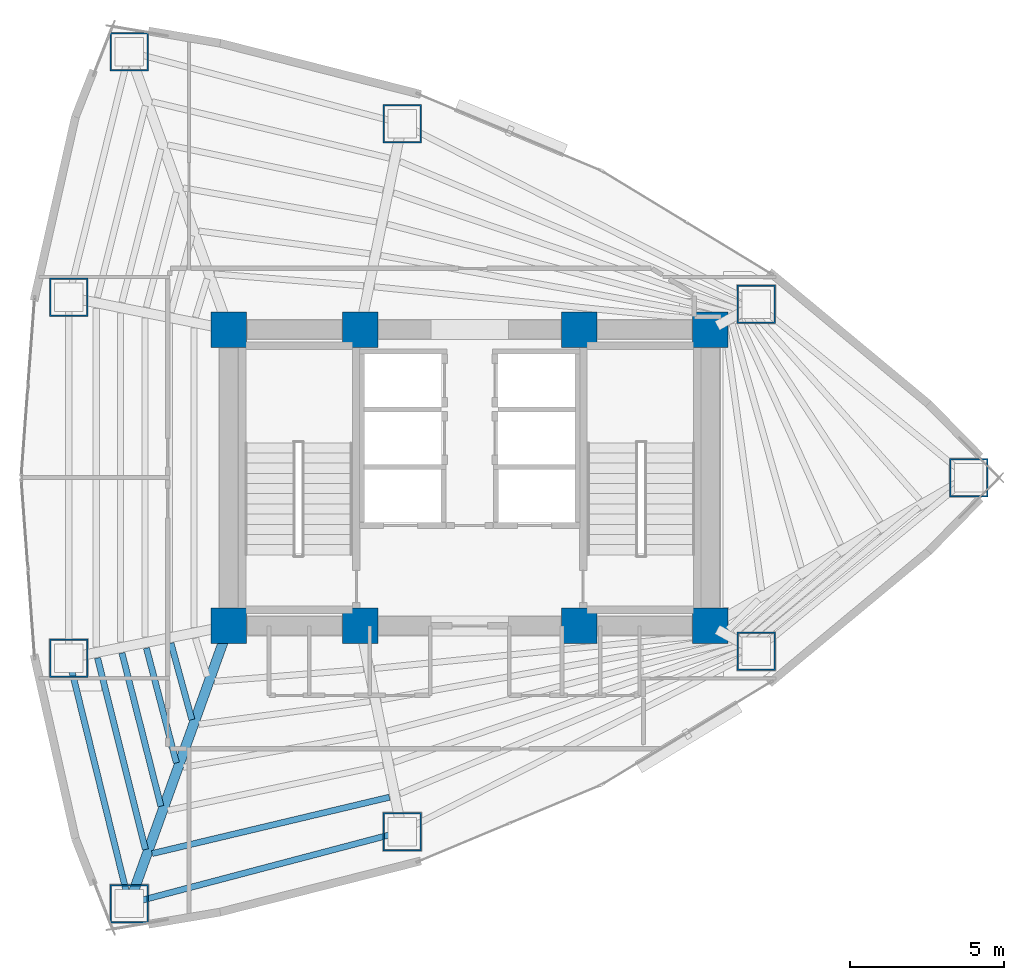
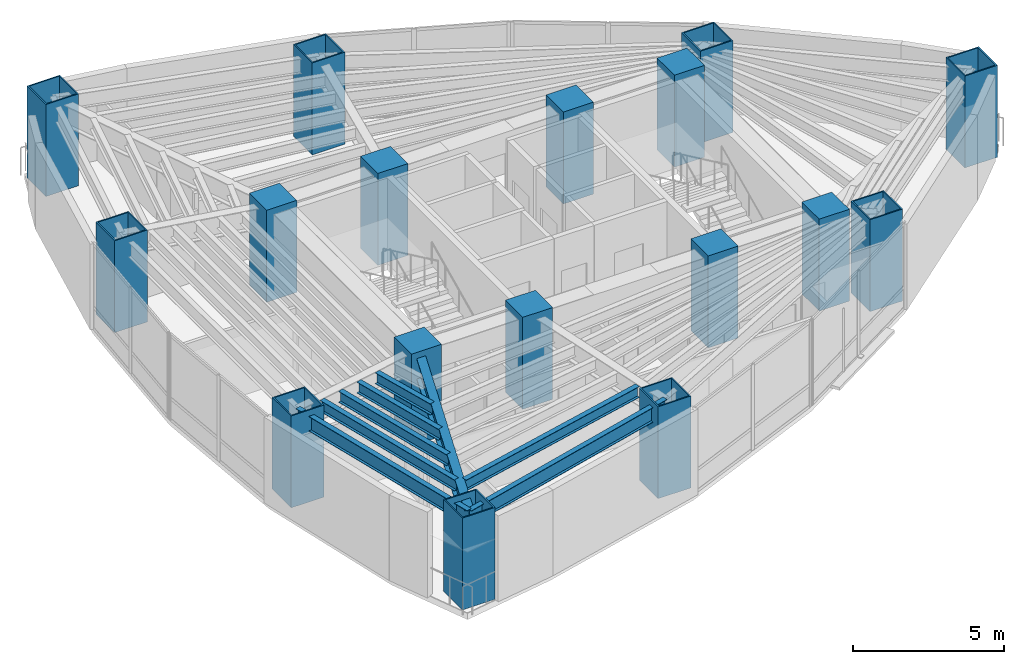
# One storey, part 1 of 16: 17 columns, 8 beams.
"""IFC4 building model written with IfcOpenShell, lengths in metres."""

from ifc_helpers import new_model, si_unit, direction, frame, origin, origin_2d, place, context, subcontext, project, spatial, rectangle, hollow_rectangle, i_section, extrude, material, material_profile, profile_set, type_object, element, save


model = new_model("IFC4")

# Units and contexts
model_context = context("Model", 3, precision=1e-05, world=origin(), true_north=direction((0.0, 1.0)))
body_context = subcontext(model_context, "Body", "Model", "MODEL_VIEW")
ifc_project = project(units=[si_unit("LENGTHUNIT", "METRE"), si_unit("AREAUNIT", "SQUARE_METRE"), si_unit("VOLUMEUNIT", "CUBIC_METRE"), si_unit("PLANEANGLEUNIT", "RADIAN"), si_unit("MASSUNIT", "GRAM", prefix="KILO")], contexts=[model_context])

# Site, building, storey
site_placement = place(None, origin())
site = spatial("IfcSite", under=ifc_project, at=site_placement, CompositionType="ELEMENT")
building_placement = place(site_placement, origin())
building = spatial("IfcBuilding", under=site, at=building_placement, Name="Menara Vayukalpa", CompositionType="ELEMENT")
storey_placement = place(building_placement, frame((0.0, 0.0, 72.239990234375)))
storey = spatial("IfcBuildingStorey", under=building, at=storey_placement, Name="L17", CompositionType="ELEMENT", Elevation=72.239990234375)

# Columns
ifc_material_1 = material(Name="Concrete C80/95", Category="concrete")
ifc_material_profile_1 = material_profile(ifc_material_1, rectangle(XDim=1.14990234375, YDim=1.14990234375, at=origin_2d()), Name="RC 1150x1150")
ifc_profile_set_1 = profile_set([ifc_material_profile_1], Name="Concrete C80/95")
column_type_1 = type_object("IfcColumnType", Name="COL-CC1", PredefinedType="COLUMN", material=ifc_profile_set_1)
for number, where, z_axis, x_axis, name in (
    (1, (17.800048828125, 17.199951171875, 0.0), (0.0, 0.0, 1.0), (1.0, 0.0, 0.0), "L17 Core Pilaster Column CC1"),
    (2, (22.050048828125, 17.199951171875, 0.0), (0.0, 0.0, 1.0), (1.0, 0.0, 0.0), "L17 Core Pilaster Column CC2"),
    (3, (29.14990234375, 17.199951171875, 0.0), (0.0, 0.0, 1.0), (1.0, 0.0, 0.0), "L17 Core Pilaster Column CC3"),
    (4, (33.39990234375, 17.199951171875, 0.0), (0.0, 0.0, 1.0), (1.0, 0.0, 0.0), "L17 Core Pilaster Column CC4"),
    (5, (17.800048828125, 26.800048828125, 0.0), (0.0, 0.0, 1.0), (1.0, 0.0, 0.0), "L17 Core Pilaster Column CC5"),
    (6, (22.050048828125, 26.800048828125, 0.0), (0.0, 0.0, 1.0), (1.0, 0.0, 0.0), "L17 Core Pilaster Column CC6"),
    (7, (29.14990234375, 26.800048828125, 0.0), (0.0, 0.0, 1.0), (1.0, 0.0, 0.0), "L17 Core Pilaster Column CC7"),
    (8, (33.39990234375, 26.800048828125, 0.0), (0.0, 0.0, 1.0), (1.0, 0.0, 0.0), "L17 Core Pilaster Column CC8"),
):
    element("IfcColumn", number, at=place(storey_placement, frame(where, z_axis=z_axis, x_axis=x_axis)), inside=storey, type_object=column_type_1, Name=name, PredefinedType="COLUMN", context=body_context, shape_type="SweptSolid", body=[
        extrude(rectangle(XDim=1.14990234375, YDim=1.14990234375, at=origin_2d()), origin(), (0.0, 0.0, 1.0), 3.719970703125),
    ])
ifc_material_2 = material(Name="Steel S460", Category="steel")
ifc_material_profile_2 = material_profile(ifc_material_2, hollow_rectangle(XDim=1.25, YDim=1.25, WallThickness=0.050048828125, at=origin_2d()), Name="BOX 1250x1250x50")
ifc_profile_set_2 = profile_set([ifc_material_profile_2], Name="Steel S460")
column_type_2 = type_object("IfcColumnType", Name="COL-MC2", PredefinedType="COLUMN", material=ifc_profile_set_2)
for number, where, z_axis, x_axis, name in (
    (9, (41.761962890625, 22.0, 0.0), (0.0, 0.0, 1.0), (1.0, 0.0, 0.0), "L17 Perimeter Mega Column P01"),
    (10, (34.88671875, 27.62158203125, 0.0), (0.0, 0.0, 1.0), (1.0, 0.0, 0.0), "L17 Perimeter Mega Column P02"),
    (11, (23.408203125, 33.46728515625, 0.0), (0.0, 0.0, 1.0), (1.0, 0.0, 0.0), "L17 Perimeter Mega Column P03"),
    (12, (14.569091796875, 35.79736328125, 0.0), (0.0, 0.0, 1.0), (1.0, 0.0, 0.0), "L17 Perimeter Mega Column P04"),
    (13, (12.606689453125, 27.845703125, 0.0), (0.0, 0.0, 1.0), (1.0, 0.0, 0.0), "L17 Perimeter Mega Column P05"),
    (14, (12.606689453125, 16.154296875, 0.0), (0.0, 0.0, 1.0), (1.0, 0.0, 0.0), "L17 Perimeter Mega Column P06"),
    (15, (14.569091796875, 8.20263671875, 0.0), (0.0, 0.0, 1.0), (1.0, 0.0, 0.0), "L17 Perimeter Mega Column P07"),
    (16, (23.408203125, 10.53271484375, 0.0), (0.0, 0.0, 1.0), (1.0, 0.0, 0.0), "L17 Perimeter Mega Column P08"),
    (17, (34.88671875, 16.37841796875, 0.0), (0.0, 0.0, 1.0), (1.0, 0.0, 0.0), "L17 Perimeter Mega Column P09"),
):
    element("IfcColumn", number, at=place(storey_placement, frame(where, z_axis=z_axis, x_axis=x_axis)), inside=storey, type_object=column_type_2, Name=name, PredefinedType="COLUMN", context=body_context, shape_type="SweptSolid", body=[
        extrude(hollow_rectangle(XDim=1.25, YDim=1.25, WallThickness=0.050048828125, at=origin_2d()), origin(), (0.0, 0.0, 1.0), 3.719970703125),
    ])

# Beams
ifc_material_3 = material(Name="Steel S355", Category="steel")
ifc_material_profile_3 = material_profile(ifc_material_3, i_section(OverallWidth=0.320068359375, OverallDepth=0.85009765625, WebThickness=0.01611328125, FlangeThickness=0.030029296875, at=origin_2d()), Name="WF 850x320x16x30")
ifc_profile_set_3 = profile_set([ifc_material_profile_3], Name="Steel S355")
beam_type_1 = type_object("IfcBeamType", Name="BM-PG2", PredefinedType="BEAM", material=ifc_profile_set_3)
beam_1_placement = place(storey_placement, frame((17.715576171875, 16.964599609375, 3.044921875), z_axis=(-0.337975542909, -0.941154892882, 0.0), x_axis=(0.941154892882, -0.337975542909, 0.0)))
element("IfcBeam", 18, at=beam_1_placement, inside=storey, type_object=beam_type_1, Name="L17 Primary Radial Girder RG07", PredefinedType="BEAM", context=body_context, shape_type="SweptSolid", body=[
    extrude(i_section(OverallWidth=0.320068359375, OverallDepth=0.85009765625, WebThickness=0.01611328125, FlangeThickness=0.030029296875, at=origin_2d()), origin(), (0.0, 0.0, 1.0), 9.309814453125),
])
ifc_material_4 = material(Name="Steel S355", Category="steel")
ifc_material_profile_4 = material_profile(ifc_material_4, i_section(OverallWidth=0.199951171875, OverallDepth=0.449951171875, WebThickness=0.009033203125, FlangeThickness=0.013916015625, at=origin_2d()), Name="WF 450x200x9x14")
ifc_profile_set_4 = profile_set([ifc_material_profile_4], Name="Steel S355")
beam_type_2 = type_object("IfcBeamType", Name="BM-SJ1", PredefinedType="JOIST", material=ifc_profile_set_4)
beam_2_placement = place(storey_placement, frame((15.919921875, 16.63818359375, 3.2451171875), z_axis=(0.263888952397, -0.964553067904, 0.0), x_axis=(0.964553067904, 0.263888952397, 0.0)))
element("IfcBeam", 19, at=beam_2_placement, inside=storey, type_object=beam_type_2, Name="L17 Secondary Floor Joist SJ06-2", PredefinedType="JOIST", context=body_context, shape_type="SweptSolid", body=[
    extrude(i_section(OverallWidth=0.199951171875, OverallDepth=0.449951171875, WebThickness=0.009033203125, FlangeThickness=0.013916015625, at=origin_2d()), origin(), (0.0, 0.0, 1.0), 2.570068359375),
])
beam_3_placement = place(storey_placement, frame((15.126220703125, 16.478271484375, 3.2451171875), z_axis=(0.252458083783, -0.967607831682, 0.0), x_axis=(0.967607831682, 0.252458083783, 0.0)))
element("IfcBeam", 20, at=beam_3_placement, inside=storey, type_object=beam_type_2, Name="L17 Secondary Floor Joist SJ06-3", PredefinedType="JOIST", context=body_context, shape_type="SweptSolid", body=[
    extrude(i_section(OverallWidth=0.199951171875, OverallDepth=0.449951171875, WebThickness=0.009033203125, FlangeThickness=0.013916015625, at=origin_2d()), origin(), (0.0, 0.0, 1.0), 3.844970703125),
])
beam_4_placement = place(storey_placement, frame((14.33349609375, 16.318603515625, 3.2451171875), z_axis=(0.246281114503, -0.969198438215, 0.0), x_axis=(0.969198438215, 0.246281114503, 0.0)))
element("IfcBeam", 21, at=beam_4_placement, inside=storey, type_object=beam_type_2, Name="L17 Secondary Floor Joist SJ06-4", PredefinedType="JOIST", context=body_context, shape_type="SweptSolid", body=[
    extrude(i_section(OverallWidth=0.199951171875, OverallDepth=0.449951171875, WebThickness=0.009033203125, FlangeThickness=0.013916015625, at=origin_2d()), origin(), (0.0, 0.0, 1.0), 5.1201171875),
])
beam_5_placement = place(storey_placement, frame((13.541015625, 16.158935546875, 3.2451171875), z_axis=(0.242481731849, -0.970155971852, 0.0), x_axis=(0.970155971852, 0.242481731849, 0.0)))
element("IfcBeam", 22, at=beam_5_placement, inside=storey, type_object=beam_type_2, Name="L17 Secondary Floor Joist SJ06-5", PredefinedType="JOIST", context=body_context, shape_type="SweptSolid", body=[
    extrude(i_section(OverallWidth=0.199951171875, OverallDepth=0.449951171875, WebThickness=0.009033203125, FlangeThickness=0.013916015625, at=origin_2d()), origin(), (0.0, 0.0, 1.0), 6.3955078125),
])
beam_6_placement = place(storey_placement, frame((15.310546875, 9.8212890625, 3.2451171875), z_axis=(0.97293602969, 0.231074624596, 0.0), x_axis=(-0.231074624596, 0.97293602969, 0.0)))
element("IfcBeam", 23, at=beam_6_placement, inside=storey, type_object=beam_type_2, Name="L17 Secondary Floor Joist SJ07-5", PredefinedType="JOIST", context=body_context, shape_type="SweptSolid", body=[
    extrude(i_section(OverallWidth=0.199951171875, OverallDepth=0.449951171875, WebThickness=0.009033203125, FlangeThickness=0.013916015625, at=origin_2d()), origin(), (0.0, 0.0, 1.0), 7.90087890625),
])
ifc_material_5 = material(Name="Steel S355", Category="steel")
ifc_material_profile_5 = material_profile(ifc_material_5, i_section(OverallWidth=0.199951171875, OverallDepth=0.60009765625, WebThickness=0.010986328125, FlangeThickness=0.01708984375, at=origin_2d()), Name="WF 600x200x11x17")
ifc_profile_set_5 = profile_set([ifc_material_profile_5], Name="Steel S355")
beam_type_3 = type_object("IfcBeamType", Name="BM-SP1", PredefinedType="SPANDREL", material=ifc_profile_set_5)
beam_7_placement = place(storey_placement, frame((12.606689453125, 16.154296875, 3.169921875), z_axis=(0.239602739234, -0.970871014786, 0.0), x_axis=(0.970871014786, 0.239602739234, 0.0)))
element("IfcBeam", 24, at=beam_7_placement, inside=storey, type_object=beam_type_3, Name="L17 Perimeter Spandrel Beam SP06", PredefinedType="SPANDREL", context=body_context, shape_type="SweptSolid", body=[
    extrude(i_section(OverallWidth=0.199951171875, OverallDepth=0.60009765625, WebThickness=0.010986328125, FlangeThickness=0.01708984375, at=origin_2d()), origin(), (0.0, 0.0, 1.0), 8.190185546875),
])
beam_8_placement = place(storey_placement, frame((14.569091796875, 8.20263671875, 3.169921875), z_axis=(0.966966857313, 0.254902131921, 0.0), x_axis=(-0.254902131921, 0.966966857313, 0.0)))
element("IfcBeam", 25, at=beam_8_placement, inside=storey, type_object=beam_type_3, Name="L17 Perimeter Spandrel Beam SP07", PredefinedType="SPANDREL", context=body_context, shape_type="SweptSolid", body=[
    extrude(i_section(OverallWidth=0.199951171875, OverallDepth=0.60009765625, WebThickness=0.010986328125, FlangeThickness=0.01708984375, at=origin_2d()), origin(), (0.0, 0.0, 1.0), 9.14111328125),
])

save(model, "model.ifc")
